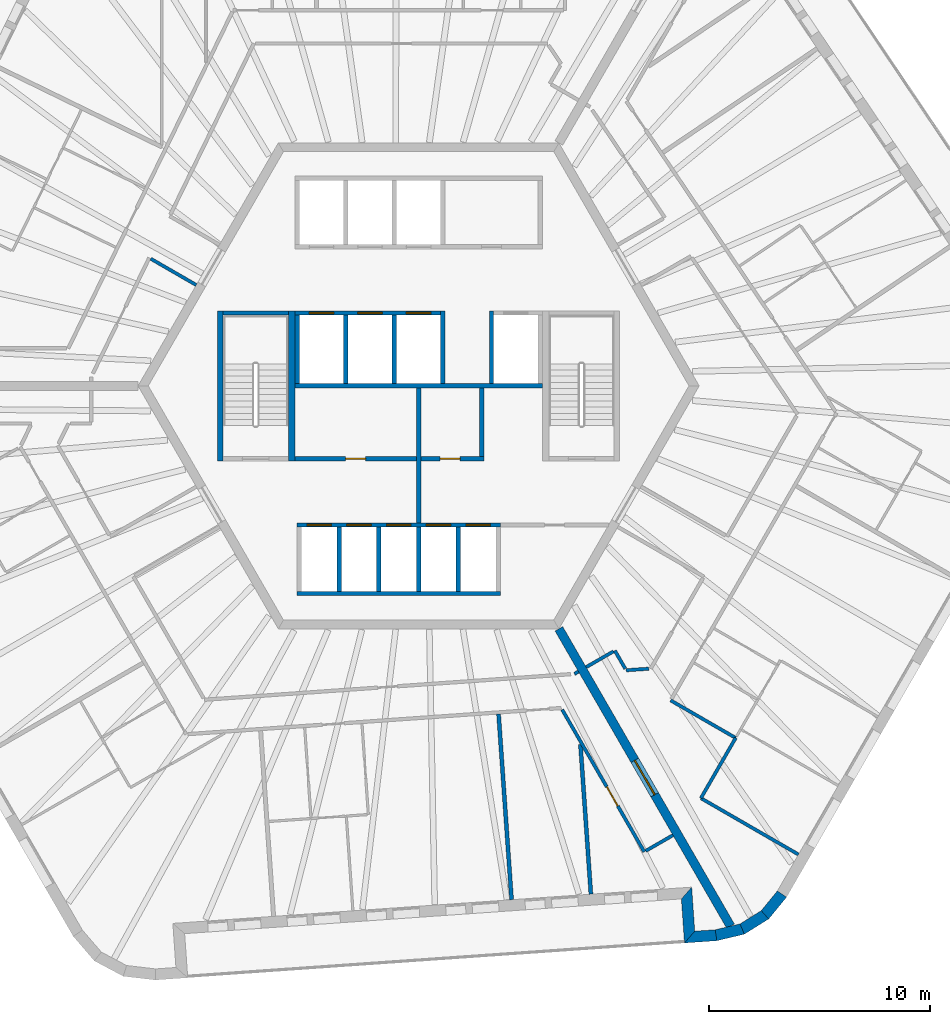
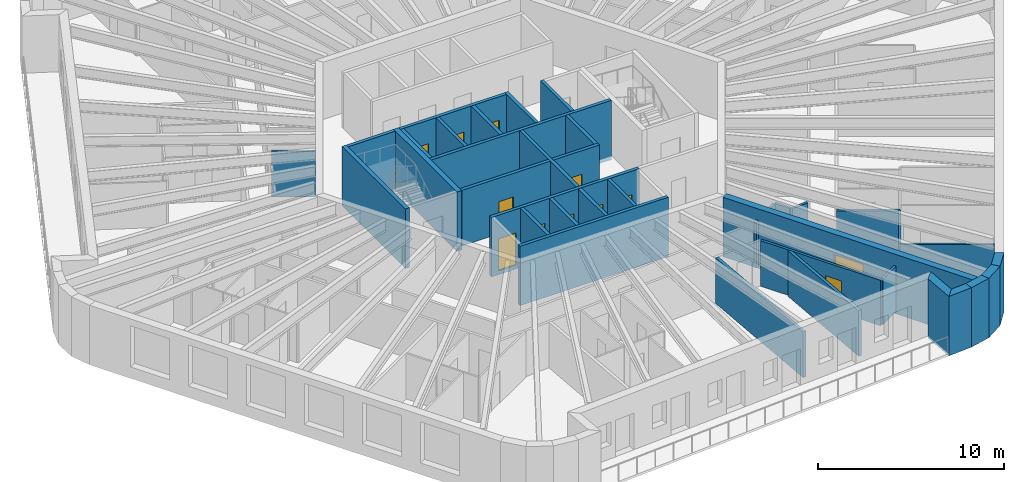
# One storey, part 5 of 12: 38 walls, 12 doors, 12 openings.
"""IFC4 building model written with IfcOpenShell, lengths in metres."""

from ifc_helpers import new_model, si_unit, direction, frame, frame_2d, origin, place, context, subcontext, project, spatial, polyline, rectangle, outline, extrude, material, layer, layer_set, type_object, element, fill, save


model = new_model("IFC4")

# Units and contexts
model_context = context("Model", 3, precision=1e-05, world=origin(), true_north=direction((0.0, 1.0)))
body_context = subcontext(model_context, "Body", "Model", "MODEL_VIEW")
ifc_project = project(units=[si_unit("LENGTHUNIT", "METRE"), si_unit("AREAUNIT", "SQUARE_METRE"), si_unit("VOLUMEUNIT", "CUBIC_METRE"), si_unit("PLANEANGLEUNIT", "RADIAN"), si_unit("MASSUNIT", "GRAM", prefix="KILO")], contexts=[model_context])

# Site, building, storey
site_placement = place(None, origin())
site = spatial("IfcSite", under=ifc_project, at=site_placement, CompositionType="ELEMENT")
building_placement = place(site_placement, origin())
building = spatial("IfcBuilding", under=site, at=building_placement, Name="Tarnside Tower", CompositionType="ELEMENT")
storey_placement = place(building_placement, frame((0.0, 0.0, 306.89990234375)))
storey = spatial("IfcBuildingStorey", under=building, at=storey_placement, Name="L74", CompositionType="ELEMENT", Elevation=306.89990234375)

# Wall, opening, door
ifc_material_1 = material(Name="Concrete C40/50", Category="concrete")
ifc_layer_1 = layer(ifc_material_1, 0.199951171875)
ifc_layer_set_1 = layer_set([ifc_layer_1], Name="Core room partition 200 C40/50")
wall_type_1 = type_object("IfcWallType", Name="Core room partition 200 C40/50", PredefinedType="PARTITIONING", material=ifc_layer_set_1)
wall_1_placement = place(storey_placement, frame((-5.60009765625, -3.300048828125, 0.0), z_axis=(0.0, 0.0, 1.0), x_axis=(1.0, 0.0, 0.0)))
wall_1 = element("IfcWall", 1, at=wall_1_placement, inside=storey, type_object=wall_type_1, Name="L74 core partition W3", PredefinedType="PARTITIONING", context=body_context, shape_type="SweptSolid", body=[
    extrude(rectangle(XDim=5.5, YDim=0.199951171875, at=frame_2d((2.75, 0.0))), origin(), (0.0, 0.0, 1.0), 3.650146484375),
])
opening_1_placement = place(wall_1_placement, frame((2.300048828125, 0.0, 0.0)))
opening_1 = element("IfcOpeningElement", 2, at=opening_1_placement, cuts=wall_1, Name="Opening CD-room", PredefinedType="OPENING", context=body_context, shape_type="SweptSolid", body=[
    extrude(rectangle(XDim=0.89990234375, YDim=2.10009765625, at=frame_2d((0.449951171875, 1.050048828125))), frame((0.0, 0.10986328125, 0.0), z_axis=(0.0, -1.0, 0.0), x_axis=(1.0, 0.0, 0.0)), (0.0, 0.0, 1.0), 0.219970703125),
])
ifc_material_2 = material(Name="Steel fire door", Category="steel")
door_type_1 = type_object("IfcDoorType", Name="Room door FD60 900x2100", OperationType="NOTDEFINED", PredefinedType="DOOR", material=ifc_material_2)
door_1_placement = place(opening_1_placement, origin())
door_1 = element("IfcDoor", 3, at=door_1_placement, inside=storey, type_object=door_type_1, Name="L74 core room door W3D", OperationType="SINGLE_SWING_LEFT", OverallHeight=2.10009765625, OverallWidth=0.89990234375, PredefinedType="DOOR", context=body_context, shape_type="SweptSolid", body=[
    extrude(rectangle(XDim=0.89990234375, YDim=2.10009765625, at=frame_2d((0.449951171875, 1.050048828125))), frame((0.0, 0.02490234375, 0.0), z_axis=(0.0, -1.0, 0.0), x_axis=(1.0, 0.0, 0.0)), (0.0, 0.0, 1.0), 0.050048828125),
])
fill(opening_1, door_1)

wall_2_placement = place(storey_placement, frame((0.10009765625, -3.300048828125, 0.0), z_axis=(0.0, 0.0, 1.0), x_axis=(1.0, 0.0, 0.0)))
wall_2 = element("IfcWall", 4, at=wall_2_placement, inside=storey, type_object=wall_type_1, Name="L74 core partition R3S1", PredefinedType="PARTITIONING", context=body_context, shape_type="SweptSolid", body=[
    extrude(rectangle(XDim=2.849853515625, YDim=0.199951171875, at=frame_2d((1.4248046875, 0.0))), origin(), (0.0, 0.0, 1.0), 3.650146484375),
])
opening_2_placement = place(wall_2_placement, frame((0.875, 0.0, 0.0)))
opening_2 = element("IfcOpeningElement", 5, at=opening_2_placement, cuts=wall_2, Name="Opening CD-room", PredefinedType="OPENING", context=body_context, shape_type="SweptSolid", body=[
    extrude(rectangle(XDim=0.89990234375, YDim=2.10009765625, at=frame_2d((0.449951171875, 1.050048828125))), frame((0.0, 0.10986328125, 0.0), z_axis=(0.0, -1.0, 0.0), x_axis=(1.0, 0.0, 0.0)), (0.0, 0.0, 1.0), 0.219970703125),
])
door_2_placement = place(opening_2_placement, origin())
door_2 = element("IfcDoor", 6, at=door_2_placement, inside=storey, type_object=door_type_1, Name="L74 core room door SR1", OperationType="SINGLE_SWING_LEFT", OverallHeight=2.10009765625, OverallWidth=0.89990234375, PredefinedType="DOOR", context=body_context, shape_type="SweptSolid", body=[
    extrude(rectangle(XDim=0.89990234375, YDim=2.10009765625, at=frame_2d((0.449951171875, 1.050048828125))), frame((0.0, 0.02490234375, 0.0), z_axis=(0.0, -1.0, 0.0), x_axis=(1.0, 0.0, 0.0)), (0.0, 0.0, 1.0), 0.050048828125),
])
fill(opening_2, door_2)

# Walls
wall_3_placement = place(storey_placement, frame((2.85009765625, -3.199951171875, 0.0), z_axis=(0.0, 0.0, 1.0), x_axis=(0.0, 1.0, 0.0)))
element("IfcWall", 7, at=wall_3_placement, inside=storey, type_object=wall_type_1, Name="L74 core partition R3P1b", PredefinedType="PARTITIONING", context=body_context, shape_type="SweptSolid", body=[
    extrude(rectangle(XDim=3.099853515625, YDim=0.199951171875, at=frame_2d((1.5498046875, 0.0))), origin(), (0.0, 0.0, 1.0), 3.650146484375),
])
wall_4_placement = place(storey_placement, frame((0.0, -6.199951171875, 0.0), z_axis=(0.0, 0.0, 1.0), x_axis=(0.0, 1.0, 0.0)))
element("IfcWall", 8, at=wall_4_placement, inside=storey, type_object=wall_type_1, Name="L74 core partition X0", PredefinedType="PARTITIONING", context=body_context, shape_type="SweptSolid", body=[
    extrude(rectangle(XDim=6.099853515625, YDim=0.199951171875, at=frame_2d((3.0498046875, 0.0))), origin(), (0.0, 0.0, 1.0), 3.650146484375),
])

# Wall, opening, door
ifc_material_3 = material(Name="Concrete C60/75", Category="concrete")
ifc_layer_2 = layer(ifc_material_3, 0.39990234375)
ifc_layer_set_2 = layer_set([ifc_layer_2], Name="Core wall Z3 400 C60/75")
wall_type_2 = type_object("IfcWallType", Name="Core wall Z3 400 C60/75", PredefinedType="SHEAR", material=ifc_layer_set_2)
wall_5_placement = place(storey_placement, frame((6.350830078125, -11.0, -0.14990234375), z_axis=(0.0, 0.0, 1.0), x_axis=(0.499998894578, -0.866026041999, 0.0)))
wall_5 = element("IfcWall", 9, at=wall_5_placement, inside=storey, type_object=wall_type_2, Name="L74 spine wall 3", PredefinedType="SHEAR", context=body_context, shape_type="SweptSolid", body=[
    extrude(rectangle(XDim=15.54443359375, YDim=0.39990234375, at=frame_2d((7.772216796875, 0.0))), origin(), (0.0, 0.0, 1.0), 3.89990234375),
])
opening_3_placement = place(wall_5_placement, frame((6.872314453125, 0.0, 0.14990234375)))
opening_3 = element("IfcOpeningElement", 10, at=opening_3_placement, cuts=wall_5, Name="Opening CD-SPN", PredefinedType="OPENING", context=body_context, shape_type="SweptSolid", body=[
    extrude(rectangle(XDim=1.800048828125, YDim=2.39990234375, at=frame_2d((0.89990234375, 1.199951171875))), frame((0.0, 0.2099609375, 0.0), z_axis=(0.0, -1.0, 0.0), x_axis=(1.0, 0.0, 0.0)), (0.0, 0.0, 1.0), 0.419921875),
])
door_type_2 = type_object("IfcDoorType", Name="Spine passage double door FD60 1800x2400", OperationType="NOTDEFINED", PredefinedType="DOOR", material=ifc_material_2)
door_3_placement = place(opening_3_placement, origin())
door_3 = element("IfcDoor", 11, at=door_3_placement, inside=storey, type_object=door_type_2, Name="L74 spine passage door 3", OperationType="DOUBLE_DOOR_SINGLE_SWING", OverallHeight=2.39990234375, OverallWidth=1.800048828125, PredefinedType="DOOR", context=body_context, shape_type="SweptSolid", body=[
    extrude(rectangle(XDim=1.800048828125, YDim=2.39990234375, at=frame_2d((0.89990234375, 1.199951171875))), frame((0.0, 0.02490234375, 0.0), z_axis=(0.0, -1.0, 0.0), x_axis=(1.0, 0.0, 0.0)), (0.0, 0.0, 1.0), 0.050048828125),
])
fill(opening_3, door_3)

# Wall
ifc_material_4 = material(Name="Gypsum board partition on steel studs", Category="steel")
ifc_layer_3 = layer(ifc_material_4, 0.14990234375)
ifc_layer_set_3 = layer_set([ifc_layer_3], Name="Corridor wall 150 EI 60")
wall_type_3 = type_object("IfcWallType", Name="Corridor wall 150 EI 60", PredefinedType="PARTITIONING", material=ifc_layer_set_3)
wall_6_placement = place(storey_placement, frame((-12.12890625, 5.7568359375, 0.0), z_axis=(0.0, 0.0, 1.0), x_axis=(0.866033707122, -0.499985617921, 0.0)))
element("IfcWall", 12, at=wall_6_placement, inside=storey, type_object=wall_type_3, Name="Corridor wall 24025", PredefinedType="PARTITIONING", context=body_context, shape_type="SweptSolid", body=[
    extrude(rectangle(XDim=2.38232421875, YDim=0.14990234375, at=frame_2d((1.191162109375, 0.0))), origin(), (0.0, 0.0, 1.0), 2.98779296875),
])

# Wall, opening, door
wall_7_placement = place(storey_placement, frame((6.49951171875, -14.6572265625, 0.0), z_axis=(0.0, 0.0, 1.0), x_axis=(0.499966098742, -0.8660449758, 0.0)))
wall_7 = element("IfcWall", 13, at=wall_7_placement, inside=storey, type_object=wall_type_3, Name="Corridor wall 24042", PredefinedType="PARTITIONING", context=body_context, shape_type="SweptSolid", body=[
    extrude(rectangle(XDim=7.4306640625, YDim=0.14990234375, at=frame_2d((3.71533203125, 0.0))), origin(), (0.0, 0.0, 1.0), 2.98779296875),
])
opening_4_placement = place(wall_7_placement, frame((4.02978515625, 0.0, 0.0)))
opening_4 = element("IfcOpeningElement", 14, at=opening_4_placement, cuts=wall_7, Name="Opening D-E1", PredefinedType="OPENING", context=body_context, shape_type="SweptSolid", body=[
    extrude(rectangle(XDim=1.0, YDim=2.10009765625, at=frame_2d((0.5, 1.050048828125))), frame((0.0, 0.0849609375, 0.0), z_axis=(0.0, -1.0, 0.0), x_axis=(1.0, 0.0, 0.0)), (0.0, 0.0, 1.0), 0.169921875),
])
ifc_material_5 = material(Name="Timber door leaf", Category="wood")
door_type_3 = type_object("IfcDoorType", Name="Unit entrance door 1000 FD30S", OperationType="NOTDEFINED", PredefinedType="DOOR", material=ifc_material_5)
door_4_placement = place(opening_4_placement, origin())
door_4 = element("IfcDoor", 15, at=door_4_placement, inside=storey, type_object=door_type_3, Name="Unit door 24042", OperationType="SINGLE_SWING_RIGHT", OverallHeight=2.10009765625, OverallWidth=1.0, PredefinedType="DOOR", context=body_context, shape_type="SweptSolid", body=[
    extrude(rectangle(XDim=1.0, YDim=2.10009765625, at=frame_2d((0.5, 1.050048828125))), frame((0.0, 0.02490234375, 0.0), z_axis=(0.0, -1.0, 0.0), x_axis=(1.0, 0.0, 0.0)), (0.0, 0.0, 1.0), 0.050048828125),
])
fill(opening_4, door_4)

# Walls
wall_8_placement = place(storey_placement, frame((10.27978515625, -21.054931640625, 0.0), z_axis=(0.0, 0.0, 1.0), x_axis=(0.866020080793, 0.500009219579, 0.0)))
element("IfcWall", 16, at=wall_8_placement, inside=storey, type_object=wall_type_3, Name="Corridor wall 24044", PredefinedType="PARTITIONING", context=body_context, shape_type="SweptSolid", body=[
    extrude(rectangle(XDim=1.4248046875, YDim=0.14990234375, at=frame_2d((0.71240234375, 0.0))), origin(), (0.0, 0.0, 1.0), 2.98779296875),
])
wall_9_placement = place(storey_placement, frame((7.23681640625, -12.9345703125, 0.0), z_axis=(0.0, 0.0, 1.0), x_axis=(-0.866088799389, -0.499890179513, 0.0)))
element("IfcWall", 17, at=wall_9_placement, inside=storey, type_object=wall_type_3, Name="Corridor wall 24050", PredefinedType="PARTITIONING", context=body_context, shape_type="SweptSolid", body=[
    extrude(rectangle(XDim=0.2099609375, YDim=0.14990234375, at=frame_2d((0.10498046875, 0.0))), origin(), (0.0, 0.0, 1.0), 2.98779296875),
])
wall_10_placement = place(storey_placement, frame((14.353515625, -15.938720703125, 0.0), z_axis=(0.0, 0.0, 1.0), x_axis=(-0.866020560687, 0.500008388397, 0.0)))
element("IfcWall", 18, at=wall_10_placement, inside=storey, type_object=wall_type_3, Name="Corridor wall 24056", PredefinedType="PARTITIONING", context=body_context, shape_type="SweptSolid", body=[
    extrude(rectangle(XDim=3.39990234375, YDim=0.14990234375, at=frame_2d((1.699951171875, 0.0))), origin(), (0.0, 0.0, 1.0), 2.98779296875),
])
wall_11_placement = place(storey_placement, frame((12.780029296875, -18.66455078125, 0.0), z_axis=(0.0, 0.0, 1.0), x_axis=(0.499972881236, 0.866041060244, 0.0)))
element("IfcWall", 19, at=wall_11_placement, inside=storey, type_object=wall_type_3, Name="Corridor wall 24058", PredefinedType="PARTITIONING", context=body_context, shape_type="SweptSolid", body=[
    extrude(rectangle(XDim=3.150634765625, YDim=0.14990234375, at=frame_2d((1.5751953125, 0.0))), origin(), (0.0, 0.0, 1.0), 2.98779296875),
])
wall_12_placement = place(storey_placement, frame((17.196044921875, -21.215576171875, 0.0), z_axis=(0.0, 0.0, 1.0), x_axis=(-0.866024511559, 0.500001545377, 0.0)))
element("IfcWall", 20, at=wall_12_placement, inside=storey, type_object=wall_type_3, Name="Corridor wall 24059", PredefinedType="PARTITIONING", context=body_context, shape_type="SweptSolid", body=[
    extrude(rectangle(XDim=5.0986328125, YDim=0.14990234375, at=frame_2d((2.54931640625, 0.0))), origin(), (0.0, 0.0, 1.0), 2.98779296875),
])
wall_13_placement = place(storey_placement, frame((10.418701171875, -12.804443359375, 0.0), z_axis=(0.0, 0.0, 1.0), x_axis=(-0.997558136861, -0.069840987838, 0.0)))
element("IfcWall", 21, at=wall_13_placement, inside=storey, type_object=wall_type_3, Name="Corridor wall 24077", PredefinedType="PARTITIONING", context=body_context, shape_type="SweptSolid", body=[
    extrude(rectangle(XDim=1.024169921875, YDim=0.14990234375, at=frame_2d((0.51220703125, 0.0))), origin(), (0.0, 0.0, 1.0), 2.98779296875),
])
wall_14_placement = place(storey_placement, frame((9.355224609375, -12.8037109375, 0.0), z_axis=(0.0, 0.0, 1.0), x_axis=(-0.499998034377, 0.866026538634, 0.0)))
element("IfcWall", 22, at=wall_14_placement, inside=storey, type_object=wall_type_3, Name="Corridor wall 24078", PredefinedType="PARTITIONING", context=body_context, shape_type="SweptSolid", body=[
    extrude(rectangle(XDim=0.94580078125, YDim=0.14990234375, at=frame_2d((0.472900390625, 0.0))), origin(), (0.0, 0.0, 1.0), 2.98779296875),
])
wall_15_placement = place(storey_placement, frame((8.8173828125, -12.022216796875, 0.0), z_axis=(0.0, 0.0, 1.0), x_axis=(-0.866062911188, -0.499935029643, 0.0)))
element("IfcWall", 23, at=wall_15_placement, inside=storey, type_object=wall_type_3, Name="Corridor wall 24079", PredefinedType="PARTITIONING", context=body_context, shape_type="SweptSolid", body=[
    extrude(rectangle(XDim=1.425048828125, YDim=0.14990234375, at=frame_2d((0.71240234375, 0.0))), origin(), (0.0, 0.0, 1.0), 2.98779296875),
])
ifc_layer_4 = layer(ifc_material_4, 0.179931640625)
ifc_layer_set_4 = layer_set([ifc_layer_4], Name="Demising wall 180 EI 60")
wall_type_4 = type_object("IfcWallType", Name="Demising wall 180 EI 60", PredefinedType="PARTITIONING", material=ifc_layer_set_4)
wall_16_placement = place(storey_placement, frame((4.208251953125, -23.26318359375, 0.0), z_axis=(0.0, 0.0, 1.0), x_axis=(-0.069749826803, 0.997564515037, 0.0)))
element("IfcWall", 24, at=wall_16_placement, inside=storey, type_object=wall_type_4, Name="Demising wall 24136", PredefinedType="PARTITIONING", context=body_context, shape_type="SweptSolid", body=[
    extrude(rectangle(XDim=8.425048828125, YDim=0.179931640625, at=frame_2d((4.21240234375, 0.0))), origin(), (0.0, 0.0, 1.0), 2.98779296875),
])
wall_17_placement = place(storey_placement, frame((7.799560546875, -23.011962890625, 0.0), z_axis=(0.0, 0.0, 1.0), x_axis=(-0.069757205717, 0.997563999075, 0.0)))
element("IfcWall", 25, at=wall_17_placement, inside=storey, type_object=wall_type_4, Name="Demising wall 24140", PredefinedType="PARTITIONING", context=body_context, shape_type="SweptSolid", body=[
    extrude(rectangle(XDim=6.789794921875, YDim=0.179931640625, at=frame_2d((3.39501953125, 0.0))), origin(), (0.0, 0.0, 1.0), 2.98779296875),
])

# Wall, openings, doors
ifc_layer_5 = layer(ifc_material_1, 0.199951171875)
ifc_layer_set_5 = layer_set([ifc_layer_5], Name="Lift shaft wall 200 C40/50")
wall_type_5 = type_object("IfcWallType", Name="Lift shaft wall 200 C40/50", PredefinedType="SHEAR", material=ifc_layer_set_5)
wall_18_placement = place(storey_placement, frame((-5.60009765625, 3.300048828125, -0.25), z_axis=(0.0, 0.0, 1.0), x_axis=(1.0, 0.0, 0.0)))
wall_18 = element("IfcWall", 26, at=wall_18_placement, inside=storey, type_object=wall_type_5, Name="L74 lift shaft front wall R2", PredefinedType="SHEAR", context=body_context, shape_type="SweptSolid", body=[
    extrude(rectangle(XDim=6.60009765625, YDim=0.199951171875, at=frame_2d((3.300048828125, 0.0))), origin(), (0.0, 0.0, 1.0), 3.900146484375),
])
opening_5_placement = place(wall_18_placement, frame((0.64990234375, 0.0, 0.25)))
opening_5 = element("IfcOpeningElement", 27, at=opening_5_placement, cuts=wall_18, Name="Opening LD", PredefinedType="OPENING", context=body_context, shape_type="SweptSolid", body=[
    extrude(rectangle(XDim=1.10009765625, YDim=2.10009765625, at=frame_2d((0.550048828125, 1.050048828125))), frame((0.0, 0.10986328125, 0.0), z_axis=(0.0, -1.0, 0.0), x_axis=(1.0, 0.0, 0.0)), (0.0, 0.0, 1.0), 0.219970703125),
])
opening_6_placement = place(wall_18_placement, frame((2.85009765625, 0.0, 0.25)))
opening_6 = element("IfcOpeningElement", 28, at=opening_6_placement, cuts=wall_18, Name="Opening LD", PredefinedType="OPENING", context=body_context, shape_type="SweptSolid", body=[
    extrude(rectangle(XDim=1.10009765625, YDim=2.10009765625, at=frame_2d((0.550048828125, 1.050048828125))), frame((0.0, 0.10986328125, 0.0), z_axis=(0.0, -1.0, 0.0), x_axis=(1.0, 0.0, 0.0)), (0.0, 0.0, 1.0), 0.219970703125),
])
opening_7_placement = place(wall_18_placement, frame((5.050048828125, 0.0, 0.25)))
opening_7 = element("IfcOpeningElement", 29, at=opening_7_placement, cuts=wall_18, Name="Opening LD", PredefinedType="OPENING", context=body_context, shape_type="SweptSolid", body=[
    extrude(rectangle(XDim=1.10009765625, YDim=2.10009765625, at=frame_2d((0.550048828125, 1.050048828125))), frame((0.0, 0.10986328125, 0.0), z_axis=(0.0, -1.0, 0.0), x_axis=(1.0, 0.0, 0.0)), (0.0, 0.0, 1.0), 0.219970703125),
])
ifc_material_6 = material(Name="Stainless steel", Category="steel")
door_type_4 = type_object("IfcDoorType", Name="Lift landing door 1100x2100", OperationType="NOTDEFINED", PredefinedType="DOOR", material=ifc_material_6)
door_5_placement = place(opening_5_placement, origin())
door_5 = element("IfcDoor", 30, at=door_5_placement, inside=storey, type_object=door_type_4, Name="High-rise lift 4 landing door L74", OperationType="SLIDING_TO_LEFT", OverallHeight=2.10009765625, OverallWidth=1.10009765625, PredefinedType="DOOR", context=body_context, shape_type="SweptSolid", body=[
    extrude(rectangle(XDim=1.10009765625, YDim=2.10009765625, at=frame_2d((0.550048828125, 1.050048828125))), frame((0.0, 0.02490234375, 0.0), z_axis=(0.0, -1.0, 0.0), x_axis=(1.0, 0.0, 0.0)), (0.0, 0.0, 1.0), 0.050048828125),
])
fill(opening_5, door_5)
door_6_placement = place(opening_6_placement, origin())
door_6 = element("IfcDoor", 31, at=door_6_placement, inside=storey, type_object=door_type_4, Name="High-rise lift 5 landing door L74", OperationType="SLIDING_TO_LEFT", OverallHeight=2.10009765625, OverallWidth=1.10009765625, PredefinedType="DOOR", context=body_context, shape_type="SweptSolid", body=[
    extrude(rectangle(XDim=1.10009765625, YDim=2.10009765625, at=frame_2d((0.550048828125, 1.050048828125))), frame((0.0, 0.02490234375, 0.0), z_axis=(0.0, -1.0, 0.0), x_axis=(1.0, 0.0, 0.0)), (0.0, 0.0, 1.0), 0.050048828125),
])
fill(opening_6, door_6)
door_7_placement = place(opening_7_placement, origin())
door_7 = element("IfcDoor", 32, at=door_7_placement, inside=storey, type_object=door_type_4, Name="High-rise lift 6 landing door L74", OperationType="SLIDING_TO_LEFT", OverallHeight=2.10009765625, OverallWidth=1.10009765625, PredefinedType="DOOR", context=body_context, shape_type="SweptSolid", body=[
    extrude(rectangle(XDim=1.10009765625, YDim=2.10009765625, at=frame_2d((0.550048828125, 1.050048828125))), frame((0.0, 0.02490234375, 0.0), z_axis=(0.0, -1.0, 0.0), x_axis=(1.0, 0.0, 0.0)), (0.0, 0.0, 1.0), 0.050048828125),
])
fill(opening_7, door_7)

# Walls
wall_19_placement = place(storey_placement, frame((-5.60009765625, 0.0, -0.25), z_axis=(0.0, 0.0, 1.0), x_axis=(1.0, 0.0, 0.0)))
element("IfcWall", 33, at=wall_19_placement, inside=storey, type_object=wall_type_5, Name="L74 lift shaft back wall R2", PredefinedType="SHEAR", context=body_context, shape_type="SweptSolid", body=[
    extrude(rectangle(XDim=11.2001953125, YDim=0.199951171875, at=frame_2d((5.60009765625, 0.0))), origin(), (0.0, 0.0, 1.0), 3.900146484375),
])
for number, where, z_axis, x_axis, name in (
    (34, (-5.5, 0.10009765625, -0.25), (0.0, 0.0, 1.0), (0.0, 1.0, 0.0), "L74 lift shaft partition R21"),
    (35, (-3.300048828125, 0.10009765625, -0.25), (0.0, 0.0, 1.0), (0.0, 1.0, 0.0), "L74 lift shaft partition R22"),
    (36, (-1.10009765625, 0.10009765625, -0.25), (0.0, 0.0, 1.0), (0.0, 1.0, 0.0), "L74 lift shaft partition R23"),
):
    element("IfcWall", number, at=place(storey_placement, frame(where, z_axis=z_axis, x_axis=x_axis)), inside=storey, type_object=wall_type_5, Name=name, PredefinedType="SHEAR", context=body_context, shape_type="SweptSolid", body=[
        extrude(rectangle(XDim=3.099853515625, YDim=0.199951171875, at=frame_2d((1.5498046875, 0.0))), origin(), (0.0, 0.0, 1.0), 3.900146484375),
    ])
for number, where, z_axis, x_axis, name in (
    (37, (1.10009765625, 0.10009765625, -0.25), (0.0, 0.0, 1.0), (0.0, 1.0, 0.0), "L74 lift shaft partition R24"),
    (38, (3.300048828125, 0.10009765625, -0.25), (0.0, 0.0, 1.0), (0.0, 1.0, 0.0), "L74 lift shaft partition R25"),
):
    element("IfcWall", number, at=place(storey_placement, frame(where, z_axis=z_axis, x_axis=x_axis)), inside=storey, type_object=wall_type_5, Name=name, PredefinedType="SHEAR", context=body_context, shape_type="SweptSolid", body=[
        extrude(rectangle(XDim=3.2998046875, YDim=0.199951171875, at=frame_2d((1.64990234375, 0.0))), origin(), (0.0, 0.0, 1.0), 3.900146484375),
    ])

# Wall, openings, doors
wall_20_placement = place(storey_placement, frame((-5.5, -6.300048828125, -0.25), z_axis=(0.0, 0.0, 1.0), x_axis=(1.0, 0.0, 0.0)))
wall_20 = element("IfcWall", 39, at=wall_20_placement, inside=storey, type_object=wall_type_5, Name="L74 lift shaft front wall R4", PredefinedType="SHEAR", context=body_context, shape_type="SweptSolid", body=[
    extrude(rectangle(XDim=9.199951171875, YDim=0.199951171875, at=frame_2d((4.60009765625, 0.0))), origin(), (0.0, 0.0, 1.0), 3.900146484375),
])
opening_8_placement = place(wall_20_placement, frame((0.449951171875, 0.0, 0.25)))
opening_8 = element("IfcOpeningElement", 40, at=opening_8_placement, cuts=wall_20, Name="Opening LDF", PredefinedType="OPENING", context=body_context, shape_type="SweptSolid", body=[
    extrude(rectangle(XDim=1.10009765625, YDim=2.10009765625, at=frame_2d((0.550048828125, 1.050048828125))), frame((0.0, 0.10986328125, 0.0), z_axis=(0.0, -1.0, 0.0), x_axis=(1.0, 0.0, 0.0)), (0.0, 0.0, 1.0), 0.219970703125),
])
opening_9_placement = place(wall_20_placement, frame((2.25, 0.0, 0.25)))
opening_9 = element("IfcOpeningElement", 41, at=opening_9_placement, cuts=wall_20, Name="Opening LDF", PredefinedType="OPENING", context=body_context, shape_type="SweptSolid", body=[
    extrude(rectangle(XDim=1.10009765625, YDim=2.10009765625, at=frame_2d((0.550048828125, 1.050048828125))), frame((0.0, 0.10986328125, 0.0), z_axis=(0.0, -1.0, 0.0), x_axis=(1.0, 0.0, 0.0)), (0.0, 0.0, 1.0), 0.219970703125),
])
opening_10_placement = place(wall_20_placement, frame((4.050048828125, 0.0, 0.25)))
opening_10 = element("IfcOpeningElement", 42, at=opening_10_placement, cuts=wall_20, Name="Opening LDF", PredefinedType="OPENING", context=body_context, shape_type="SweptSolid", body=[
    extrude(rectangle(XDim=1.10009765625, YDim=2.10009765625, at=frame_2d((0.550048828125, 1.050048828125))), frame((0.0, 0.10986328125, 0.0), z_axis=(0.0, -1.0, 0.0), x_axis=(1.0, 0.0, 0.0)), (0.0, 0.0, 1.0), 0.219970703125),
])
opening_11_placement = place(wall_20_placement, frame((5.85009765625, 0.0, 0.25)))
opening_11 = element("IfcOpeningElement", 43, at=opening_11_placement, cuts=wall_20, Name="Opening LDF", PredefinedType="OPENING", context=body_context, shape_type="SweptSolid", body=[
    extrude(rectangle(XDim=1.10009765625, YDim=2.10009765625, at=frame_2d((0.550048828125, 1.050048828125))), frame((0.0, 0.10986328125, 0.0), z_axis=(0.0, -1.0, 0.0), x_axis=(1.0, 0.0, 0.0)), (0.0, 0.0, 1.0), 0.219970703125),
])
opening_12_placement = place(wall_20_placement, frame((7.64990234375, 0.0, 0.25)))
opening_12 = element("IfcOpeningElement", 44, at=opening_12_placement, cuts=wall_20, Name="Opening LDF", PredefinedType="OPENING", context=body_context, shape_type="SweptSolid", body=[
    extrude(rectangle(XDim=1.10009765625, YDim=2.10009765625, at=frame_2d((0.550048828125, 1.050048828125))), frame((0.0, 0.10986328125, 0.0), z_axis=(0.0, -1.0, 0.0), x_axis=(1.0, 0.0, 0.0)), (0.0, 0.0, 1.0), 0.219970703125),
])
door_type_5 = type_object("IfcDoorType", Name="Lift landing door 1100x2100 EI 120", OperationType="NOTDEFINED", PredefinedType="DOOR", material=ifc_material_6)
door_8_placement = place(opening_8_placement, origin())
door_8 = element("IfcDoor", 45, at=door_8_placement, inside=storey, type_object=door_type_5, Name="Firefighting lift 1 landing door L74", OperationType="SLIDING_TO_LEFT", OverallHeight=2.10009765625, OverallWidth=1.10009765625, PredefinedType="DOOR", context=body_context, shape_type="SweptSolid", body=[
    extrude(rectangle(XDim=1.10009765625, YDim=2.10009765625, at=frame_2d((0.550048828125, 1.050048828125))), frame((0.0, 0.02490234375, 0.0), z_axis=(0.0, -1.0, 0.0), x_axis=(1.0, 0.0, 0.0)), (0.0, 0.0, 1.0), 0.050048828125),
])
fill(opening_8, door_8)
door_9_placement = place(opening_9_placement, origin())
door_9 = element("IfcDoor", 46, at=door_9_placement, inside=storey, type_object=door_type_5, Name="Firefighting lift 2 landing door L74", OperationType="SLIDING_TO_LEFT", OverallHeight=2.10009765625, OverallWidth=1.10009765625, PredefinedType="DOOR", context=body_context, shape_type="SweptSolid", body=[
    extrude(rectangle(XDim=1.10009765625, YDim=2.10009765625, at=frame_2d((0.550048828125, 1.050048828125))), frame((0.0, 0.02490234375, 0.0), z_axis=(0.0, -1.0, 0.0), x_axis=(1.0, 0.0, 0.0)), (0.0, 0.0, 1.0), 0.050048828125),
])
fill(opening_9, door_9)
door_10_placement = place(opening_10_placement, origin())
door_10 = element("IfcDoor", 47, at=door_10_placement, inside=storey, type_object=door_type_5, Name="Firefighting lift 3 landing door L74", OperationType="SLIDING_TO_LEFT", OverallHeight=2.10009765625, OverallWidth=1.10009765625, PredefinedType="DOOR", context=body_context, shape_type="SweptSolid", body=[
    extrude(rectangle(XDim=1.10009765625, YDim=2.10009765625, at=frame_2d((0.550048828125, 1.050048828125))), frame((0.0, 0.02490234375, 0.0), z_axis=(0.0, -1.0, 0.0), x_axis=(1.0, 0.0, 0.0)), (0.0, 0.0, 1.0), 0.050048828125),
])
fill(opening_10, door_10)
door_11_placement = place(opening_11_placement, origin())
door_11 = element("IfcDoor", 48, at=door_11_placement, inside=storey, type_object=door_type_5, Name="Firefighting lift 4 landing door L74", OperationType="SLIDING_TO_LEFT", OverallHeight=2.10009765625, OverallWidth=1.10009765625, PredefinedType="DOOR", context=body_context, shape_type="SweptSolid", body=[
    extrude(rectangle(XDim=1.10009765625, YDim=2.10009765625, at=frame_2d((0.550048828125, 1.050048828125))), frame((0.0, 0.02490234375, 0.0), z_axis=(0.0, -1.0, 0.0), x_axis=(1.0, 0.0, 0.0)), (0.0, 0.0, 1.0), 0.050048828125),
])
fill(opening_11, door_11)
door_12_placement = place(opening_12_placement, origin())
door_12 = element("IfcDoor", 49, at=door_12_placement, inside=storey, type_object=door_type_5, Name="Firefighting lift 5 landing door L74", OperationType="SLIDING_TO_LEFT", OverallHeight=2.10009765625, OverallWidth=1.10009765625, PredefinedType="DOOR", context=body_context, shape_type="SweptSolid", body=[
    extrude(rectangle(XDim=1.10009765625, YDim=2.10009765625, at=frame_2d((0.550048828125, 1.050048828125))), frame((0.0, 0.02490234375, 0.0), z_axis=(0.0, -1.0, 0.0), x_axis=(1.0, 0.0, 0.0)), (0.0, 0.0, 1.0), 0.050048828125),
])
fill(opening_12, door_12)

# Walls
wall_21_placement = place(storey_placement, frame((-5.5, -9.39990234375, -0.25), z_axis=(0.0, 0.0, 1.0), x_axis=(1.0, 0.0, 0.0)))
element("IfcWall", 50, at=wall_21_placement, inside=storey, type_object=wall_type_5, Name="L74 lift shaft back wall R4", PredefinedType="SHEAR", context=body_context, shape_type="SweptSolid", body=[
    extrude(rectangle(XDim=9.199951171875, YDim=0.199951171875, at=frame_2d((4.60009765625, 0.0))), origin(), (0.0, 0.0, 1.0), 3.900146484375),
])
for number, where, z_axis, x_axis, name in (
    (51, (-3.60009765625, -9.300048828125, -0.25), (0.0, 0.0, 1.0), (0.0, 1.0, 0.0), "L74 lift shaft partition R42"),
    (52, (-1.800048828125, -9.300048828125, -0.25), (0.0, 0.0, 1.0), (0.0, 1.0, 0.0), "L74 lift shaft partition R43"),
    (53, (0.0, -9.300048828125, -0.25), (0.0, 0.0, 1.0), (0.0, 1.0, 0.0), "L74 lift shaft partition R44"),
    (54, (1.800048828125, -9.300048828125, -0.25), (0.0, 0.0, 1.0), (0.0, 1.0, 0.0), "L74 lift shaft partition R45"),
):
    element("IfcWall", number, at=place(storey_placement, frame(where, z_axis=z_axis, x_axis=x_axis)), inside=storey, type_object=wall_type_5, Name=name, PredefinedType="SHEAR", context=body_context, shape_type="SweptSolid", body=[
        extrude(rectangle(XDim=2.900146484375, YDim=0.199951171875, at=frame_2d((1.4501953125, 0.0))), origin(), (0.0, 0.0, 1.0), 3.900146484375),
    ])
wall_22_placement = place(storey_placement, frame((-8.85009765625, 3.300048828125, -0.25), z_axis=(0.0, 0.0, 1.0), x_axis=(1.0, 0.0, 0.0)))
element("IfcWall", 55, at=wall_22_placement, inside=storey, type_object=wall_type_5, Name="L74 stair 2 enclosure cap wall n", PredefinedType="SHEAR", context=body_context, shape_type="SweptSolid", body=[
    extrude(rectangle(XDim=2.9501953125, YDim=0.199951171875, at=frame_2d((1.47509765625, 0.0))), origin(), (0.0, 0.0, 1.0), 3.900146484375),
])
ifc_material_7 = material(Name="Dark zinc cladding")
ifc_layer_6 = layer(ifc_material_7, 0.10205078125)
ifc_material_8 = material(Name="Concrete C60/75 precast", Category="concrete")
ifc_layer_7 = layer(ifc_material_8, 0.298095703125)
ifc_material_9 = material(Name="Mineral wool insulation")
ifc_layer_8 = layer(ifc_material_9, 0.10009765625)
ifc_layer_set_6 = layer_set([ifc_layer_6, ifc_layer_7, ifc_layer_8], Name="Loggia wall 500 zinc faced")
wall_type_6 = type_object("IfcWallType", Name="Loggia wall 500 zinc faced", PredefinedType="SOLIDWALL", material=ifc_layer_set_6)
wall_23_placement = place(storey_placement, frame((12.128662109375, -22.9599609375, -0.14990234375), z_axis=(0.0, 0.0, 1.0), x_axis=(0.069824268692, -0.99755930726, 0.0)))
element("IfcWall", 56, at=wall_23_placement, inside=storey, type_object=wall_type_6, Name="Tube wall L74 F4 return 19", PredefinedType="SOLIDWALL", context=body_context, shape_type="SweptSolid", body=[
    extrude(outline(polyline([(0.25, -0.25), (2.25, -0.25), (1.75, 0.25), (-0.25, 0.25), (0.25, -0.25)])), origin(), (0.0, 0.0, 1.0), 3.89990234375),
])
wall_24_placement = place(storey_placement, frame((12.268310546875, -24.955078125, -0.14990234375), z_axis=(0.0, 0.0, 1.0), x_axis=(0.997561942506, 0.06978660948, 0.0)))
element("IfcWall", 57, at=wall_24_placement, inside=storey, type_object=wall_type_6, Name="Tube wall L74 F4 stub 20", PredefinedType="SOLIDWALL", context=body_context, shape_type="SweptSolid", body=[
    extrude(outline(polyline([(-0.25, -0.25), (1.220458984375, -0.25), (1.179443359375, 0.25), (0.25, 0.25), (-0.25, -0.25)])), origin(), (0.0, 0.0, 1.0), 3.89990234375),
])
ifc_layer_9 = layer(ifc_material_1, 0.25)
ifc_layer_set_7 = layer_set([ifc_layer_9], Name="Stair enclosure wall 250 C40/50")
wall_type_7 = type_object("IfcWallType", Name="Stair enclosure wall 250 C40/50", PredefinedType="SHEAR", material=ifc_layer_set_7)
wall_25_placement = place(storey_placement, frame((-8.97509765625, -3.39990234375, -0.25), z_axis=(0.0, 0.0, 1.0), x_axis=(0.0, 1.0, 0.0)))
element("IfcWall", 58, at=wall_25_placement, inside=storey, type_object=wall_type_7, Name="L74 stair 2 enclosure wall outer", PredefinedType="SHEAR", context=body_context, shape_type="SweptSolid", body=[
    extrude(rectangle(XDim=6.7998046875, YDim=0.25, at=frame_2d((3.39990234375, 0.0))), origin(), (0.0, 0.0, 1.0), 3.900146484375),
])
ifc_layer_10 = layer(ifc_material_1, 0.300048828125)
ifc_layer_set_8 = layer_set([ifc_layer_10], Name="Stair enclosure wall 300 C40/50")
wall_type_8 = type_object("IfcWallType", Name="Stair enclosure wall 300 C40/50", PredefinedType="SHEAR", material=ifc_layer_set_8)
wall_26_placement = place(storey_placement, frame((-5.75, -3.39990234375, -0.25), z_axis=(0.0, 0.0, 1.0), x_axis=(0.0, 1.0, 0.0)))
element("IfcWall", 59, at=wall_26_placement, inside=storey, type_object=wall_type_8, Name="L74 stair 2 enclosure wall inner", PredefinedType="SHEAR", context=body_context, shape_type="SweptSolid", body=[
    extrude(rectangle(XDim=6.7998046875, YDim=0.300048828125, at=frame_2d((3.39990234375, 0.0))), origin(), (0.0, 0.0, 1.0), 3.900146484375),
])
ifc_material_10 = material(Name="Facing brick", Category="masonry")
ifc_layer_11 = layer(ifc_material_10, 0.10205078125)
ifc_layer_12 = layer(ifc_material_8, 0.298095703125)
ifc_layer_13 = layer(ifc_material_9, 0.10009765625)
ifc_layer_set_9 = layer_set([ifc_layer_11, ifc_layer_12, ifc_layer_13], Name="Tube wall 500 brick faced")
wall_type_9 = type_object("IfcWallType", Name="Tube wall 500 brick faced", PredefinedType="SOLIDWALL", material=ifc_layer_set_9)
wall_27_placement = place(storey_placement, frame((13.46533203125, -24.871337890625, -0.14990234375), z_axis=(0.0, 0.0, 1.0), x_axis=(0.973044740285, 0.230616420501, 0.0)))
element("IfcWall", 60, at=wall_27_placement, inside=storey, type_object=wall_type_9, Name="Tube wall L74 F4 chord 21", PredefinedType="SOLIDWALL", context=body_context, shape_type="SweptSolid", body=[
    extrude(outline(polyline([(-0.0205078125, -0.25), (1.25732421875, -0.25), (1.17529296875, 0.25), (0.0205078125, 0.25), (-0.0205078125, -0.25)])), origin(), (0.0, 0.0, 1.0), 3.89990234375),
])
wall_28_placement = place(storey_placement, frame((14.64892578125, -24.5908203125, -0.14990234375), z_axis=(0.0, 0.0, 1.0), x_axis=(0.848054682072, 0.529908724419, 0.0)))
element("IfcWall", 61, at=wall_28_placement, inside=storey, type_object=wall_type_9, Name="Tube wall L74 F4 chord 22", PredefinedType="SOLIDWALL", context=body_context, shape_type="SweptSolid", body=[
    extrude(outline(polyline([(-0.041015625, -0.25), (1.25732421875, -0.25), (1.17529296875, 0.25), (0.041015625, 0.25), (-0.041015625, -0.25)])), origin(), (0.0, 0.0, 1.0), 3.89990234375),
])
wall_29_placement = place(storey_placement, frame((15.680419921875, -23.9462890625, -0.14990234375), z_axis=(0.0, 0.0, 1.0), x_axis=(0.633805934167, 0.773492105852, 0.0)))
element("IfcWall", 62, at=wall_29_placement, inside=storey, type_object=wall_type_9, Name="Tube wall L74 F4 chord 23", PredefinedType="SOLIDWALL", context=body_context, shape_type="SweptSolid", body=[
    extrude(outline(polyline([(-0.041015625, -0.25), (1.237060546875, -0.25), (1.196044921875, 0.25), (0.041015625, 0.25), (-0.041015625, -0.25)])), origin(), (0.0, 0.0, 1.0), 3.89990234375),
])

save(model, "model.ifc")
